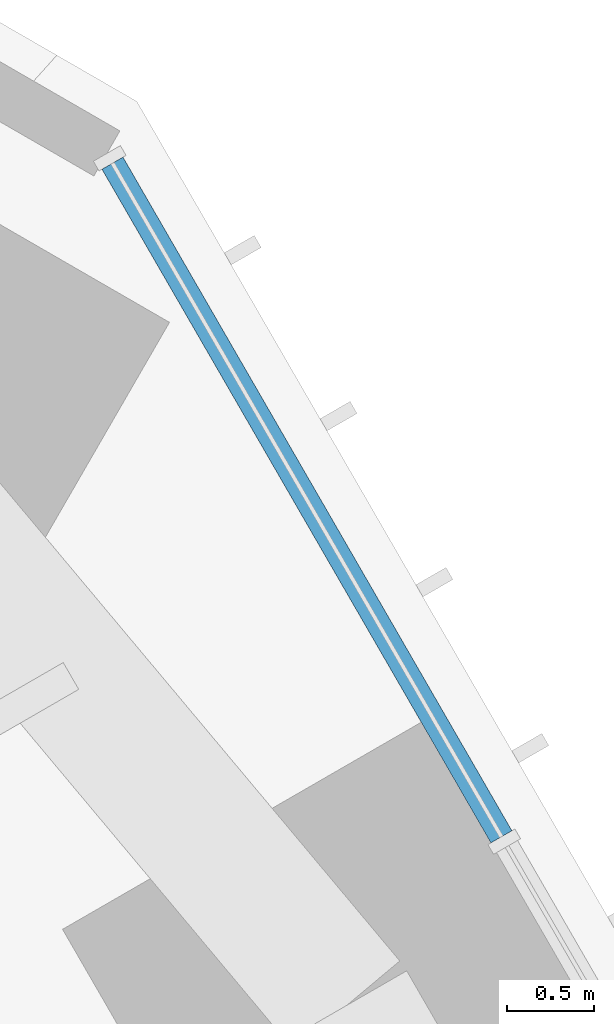
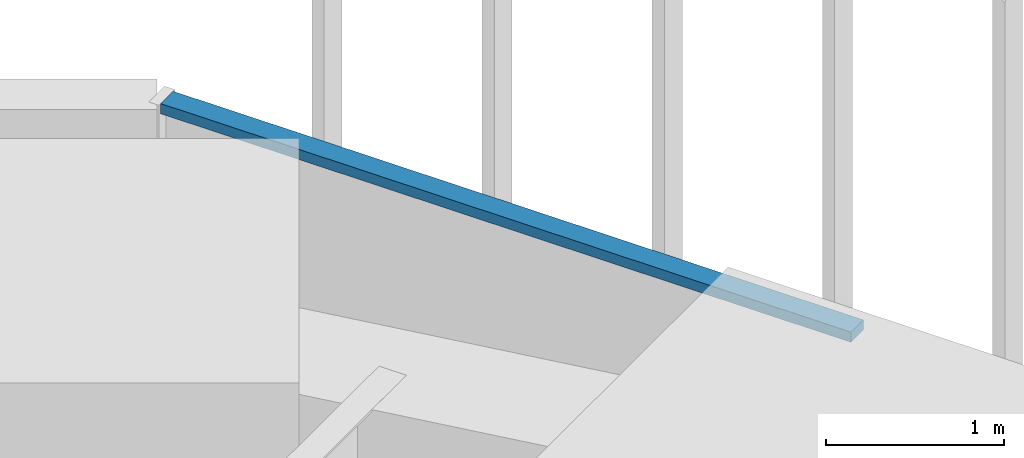
# One storey, part 242 of 256: 1 member, 1 element without a shape of its own.
"""IFC4 building model written with IfcOpenShell, lengths in metres."""

import ifcopenshell
import ifcopenshell.guid

model = None  # the IFC model being written
_history = None  # IfcOwnerHistory: only IFC2X3 demands one
_inside = {}  # id of a spatial element -> (the spatial element, [elements in it])
_under = {}  # id of a project, library or spatial element -> (it, [spatial elements below it])
_declared = {}  # id of a project -> (the project, [libraries it declares])
_typed = {}  # id of a type object -> (the type object, [elements of that type])
_made_of = {}  # id of a material, layer set ... -> (it, [elements and type objects made of it])


def new_model(schema):
    """Start an empty IFC model of exactly this schema.

    Asked for "IFC4X3", IfcOpenShell would pick the latest addendum, in which some entities
    have other attributes; the version numbers below select the first issue.
    IFC2X3 requires an IfcOwnerHistory on every rooted entity: one is made here for all.
    """
    global model, _history
    if schema == "IFC4X3":
        model = ifcopenshell.file(schema_version=(4, 3, 0, 0))
    else:
        model = ifcopenshell.file(schema=schema)
    _inside.clear()
    _under.clear()
    _declared.clear()
    _typed.clear()
    _made_of.clear()
    _history = None
    if model.schema == "IFC2X3":
        org = make("IfcOrganization", Name="unknown")
        user = make(
            "IfcPersonAndOrganization",
            ThePerson=make("IfcPerson", FamilyName="unknown"),
            TheOrganization=org,
        )
        app = make(
            "IfcApplication",
            ApplicationDeveloper=org,
            Version="unknown",
            ApplicationFullName="unknown",
            ApplicationIdentifier="unknown",
        )
        _history = make(
            "IfcOwnerHistory",
            OwningUser=user,
            OwningApplication=app,
            ChangeAction="ADDED",
            CreationDate=0,
        )
    return model


def make(cls, **values):
    """One entity of the class cls with the attributes given. An attribute that is None is left unset."""
    return model.create_entity(
        cls, **{name: value for name, value in values.items() if value is not None}
    )


def rooted(cls, **values):
    """An entity with a GlobalId (a new one), such as an element, a storey or a relation."""
    return make(cls, GlobalId=ifcopenshell.guid.new(), OwnerHistory=_history, **values)


def si_unit(unit_type, name, prefix=None):
    """IfcSIUnit, for example si_unit("LENGTHUNIT", "METRE", prefix="MILLI")."""
    return make("IfcSIUnit", UnitType=unit_type, Prefix=prefix, Name=name)


def assignment(units):
    """IfcUnitAssignment: the units of a project."""
    return None if units is None else make("IfcUnitAssignment", Units=units)


def point(xyz):
    """IfcCartesianPoint."""
    return None if xyz is None else make("IfcCartesianPoint", Coordinates=xyz)


def direction(xyz):
    """IfcDirection."""
    return None if xyz is None else make("IfcDirection", DirectionRatios=xyz)


def frame(location, z_axis=None, x_axis=None):
    """IfcAxis2Placement3D, a coordinate frame: its origin and axes. An axis left out is left unset."""
    return make(
        "IfcAxis2Placement3D",
        Location=point(location),
        Axis=direction(z_axis),
        RefDirection=direction(x_axis),
    )


def frame_2d(location, x_axis=None):
    """IfcAxis2Placement2D, a coordinate frame in the plane: its origin and x axis."""
    return make(
        "IfcAxis2Placement2D", Location=point(location), RefDirection=direction(x_axis)
    )


def origin():
    """The frame at (0, 0, 0) with its axes left unset."""
    return frame((0.0, 0.0, 0.0))


def origin_2d():
    """The frame at (0, 0) in the plane with its x axis left unset."""
    return frame_2d((0.0, 0.0))


def place(relative_to, where):
    """IfcLocalPlacement: puts the frame where relative to a parent placement (None: the world)."""
    return make(
        "IfcLocalPlacement", PlacementRelTo=relative_to, RelativePlacement=where
    )


def context(
    kind, dimensions, precision=None, world=None, true_north=None, identifier=None
):
    """IfcGeometricRepresentationContext, for example the 3D "Model" context."""
    return make(
        "IfcGeometricRepresentationContext",
        ContextIdentifier=identifier,
        ContextType=kind,
        CoordinateSpaceDimension=dimensions,
        Precision=precision,
        WorldCoordinateSystem=world,
        TrueNorth=true_north,
    )


def subcontext(parent, identifier, kind, view, scale=None):
    """IfcGeometricRepresentationSubContext, for example "Body" below "Model"."""
    return make(
        "IfcGeometricRepresentationSubContext",
        ContextIdentifier=identifier,
        ContextType=kind,
        ParentContext=parent,
        TargetScale=scale,
        TargetView=view,
    )


def project(units=None, contexts=None):
    """IfcProject with its units and contexts."""
    return rooted(
        "IfcProject",
        Name="project",
        RepresentationContexts=contexts,
        UnitsInContext=assignment(units),
    )


def spatial(cls, under=None, at=None, **own):
    """A site, building, storey or space (cls), placed at a placement, below another one or the project."""
    s = rooted(cls, ObjectPlacement=at, **own)
    if under is not None:
        _under.setdefault(under.id(), (under, []))[1].append(s)
    return s


def profile(cls, at=None, kind="AREA", **sizes):
    """A parametric profile (cls). Its sizes go by their IFC names, for example OverallWidth=200.0."""
    return make(cls, ProfileType=kind, Position=at, **sizes)


def rectangle(**sizes):
    """IfcRectangleProfileDef."""
    return profile("IfcRectangleProfileDef", **sizes)


def extrude(swept, where, along, depth):
    """IfcExtrudedAreaSolid: the profile swept, set in the frame where, extruded along a direction by depth."""
    return make(
        "IfcExtrudedAreaSolid",
        SweptArea=swept,
        Position=where,
        ExtrudedDirection=direction(along),
        Depth=depth,
    )


def shape(context_of_items, identifier, shape_type, items):
    """IfcShapeRepresentation: the items that make up one representation, for example the "Body"."""
    return make(
        "IfcShapeRepresentation",
        ContextOfItems=context_of_items,
        RepresentationIdentifier=identifier,
        RepresentationType=shape_type,
        Items=items,
    )


def material(Name=None, Category=None):
    """IfcMaterial."""
    return make("IfcMaterial", Name=Name, Category=Category)


def material_profile(
    of_material, cross_section, Name=None, Category=None, Priority=None
):
    """IfcMaterialProfile: a cross section and its material."""
    return make(
        "IfcMaterialProfile",
        Name=Name,
        Material=of_material,
        Profile=cross_section,
        Priority=Priority,
        Category=Category,
    )


def profile_set(profiles, Name=None, composite=None):
    """IfcMaterialProfileSet."""
    return make(
        "IfcMaterialProfileSet",
        Name=Name,
        MaterialProfiles=profiles,
        CompositeProfile=composite,
    )


def made_of(thing, what):
    """Note that an element or type object is made of a material, layer set ...; save() writes the relation."""
    if what is not None:
        _made_of.setdefault(what.id(), (what, []))[1].append(thing)
    return thing


def type_object(cls, material=None, **own):
    """A type object (cls), such as IfcWallType, which elements share."""
    return made_of(rooted(cls, **own), material)


def element(
    cls,
    number,
    at=None,
    inside=None,
    cuts=None,
    type_object=None,
    material=None,
    context=None,
    identifier="Body",
    shape_type=None,
    held_by="IfcProductDefinitionShape",
    body=None,
    shapes=None,
    **own,
):
    """One element of the class cls, such as IfcWall. Its Tag is "e" and its number.

    at: its placement. inside: the storey or other place that contains it. cuts: it is an
    opening in that element (IfcRelVoidsElement). A single representation is given by context,
    identifier, shape_type and body (its items); several are given by shapes. held_by: the class
    of the entity that holds the representations. save() writes the other relations.
    """
    e = rooted(cls, Tag="e%d" % number, ObjectPlacement=at, **own)
    if body is not None:
        shapes = [shape(context, identifier, shape_type, body)]
    if shapes is not None:
        e.Representation = make(held_by, Representations=shapes)
    if inside is not None:
        _inside.setdefault(inside.id(), (inside, []))[1].append(e)
    if cuts is not None:
        rooted(
            "IfcRelVoidsElement", RelatingBuildingElement=cuts, RelatedOpeningElement=e
        )
    if type_object is not None:
        _typed.setdefault(type_object.id(), (type_object, []))[1].append(e)
    return made_of(e, material)


def aggregate(whole, parts):
    """IfcRelAggregates: a whole, such as a stair, and the parts it consists of."""
    return rooted("IfcRelAggregates", RelatingObject=whole, RelatedObjects=parts)


def save(model, path):
    """Write the relations noted so far, then the file.

    IfcRelAggregates (storeys below a building ...), IfcRelContainedInSpatialStructure (elements
    in a storey), IfcRelDefinesByType, IfcRelAssociatesMaterial and IfcRelDeclares: one each for
    every whole, place, type object, material and project.
    """
    for whole, parts in _under.values():
        aggregate(whole, parts)
    for where, things in _inside.values():
        rooted(
            "IfcRelContainedInSpatialStructure",
            RelatedElements=things,
            RelatingStructure=where,
        )
    for kind, things in _typed.values():
        rooted("IfcRelDefinesByType", RelatedObjects=things, RelatingType=kind)
    for what, things in _made_of.values():
        rooted("IfcRelAssociatesMaterial", RelatedObjects=things, RelatingMaterial=what)
    for by, libraries in _declared.values():
        rooted("IfcRelDeclares", RelatingContext=by, RelatedDefinitions=libraries)
    model.write(path)


model = new_model("IFC4")

# Units and contexts
model_context = context("Model", 3, precision=1e-05, world=origin(), true_north=direction((0.0, 1.0)))
body_context = subcontext(model_context, "Body", "Model", "MODEL_VIEW")
ifc_project = project(units=[si_unit("LENGTHUNIT", "METRE"), si_unit("AREAUNIT", "SQUARE_METRE"), si_unit("VOLUMEUNIT", "CUBIC_METRE"), si_unit("PLANEANGLEUNIT", "RADIAN"), si_unit("MASSUNIT", "GRAM", prefix="KILO")], contexts=[model_context])

# Site, building, storey
site_placement = place(None, origin())
site = spatial("IfcSite", under=ifc_project, at=site_placement, CompositionType="ELEMENT")
building_placement = place(site_placement, origin())
building = spatial("IfcBuilding", under=site, at=building_placement, Name="Sandreach Pilgrim Tower", CompositionType="ELEMENT")
storey_placement = place(building_placement, frame((0.0, 0.0, 23.0)))
storey = spatial("IfcBuildingStorey", under=building, at=storey_placement, Name="L04", CompositionType="ELEMENT", Elevation=23.0)

# Curtain wall, member
ifc_material_1 = material(Name="Aluminium framed curtain wall", Category="aluminium")
curtain_wall_type = type_object("IfcCurtainWallType", Name="Hostel tower curtain wall", PredefinedType="NOTDEFINED", material=ifc_material_1)
curtain_wall_placement = place(storey_placement, origin())
curtain_wall = element("IfcCurtainWall", 1, at=curtain_wall_placement, inside=storey, type_object=curtain_wall_type, Name="CW-1 L04 NE", PredefinedType="NOTDEFINED")
ifc_material_2 = material(Name="Aluminium extrusion", Category="aluminium")
ifc_material_profile = material_profile(ifc_material_2, rectangle(XDim=0.139892578125, YDim=0.070068359375, at=origin_2d()), Name="CW-1T 140X70")
ifc_profile_set = profile_set([ifc_material_profile], Name="Aluminium extrusion")
member_type = type_object("IfcMemberType", Name="CW-1 transom", PredefinedType="USERDEFINED", material=ifc_profile_set)
member_placement = place(storey_placement, frame((21.4365234375, 22.892333984375, 3.60498046875), z_axis=(0.500017500808, -0.866015299452, 0.0), x_axis=(0.866015299452, 0.500017500808, 0.0)))
member = element("IfcMember", 2, at=member_placement, type_object=member_type, Name="CW-1 head transom 1", ObjectType="TRANSOM", PredefinedType="USERDEFINED", context=body_context, shape_type="SweptSolid", body=[
    extrude(rectangle(XDim=0.139892578125, YDim=0.070068359375, at=origin_2d()), origin(), (0.0, 0.0, 1.0), 4.488525390625),
])
aggregate(curtain_wall, [member])

save(model, "model.ifc")
